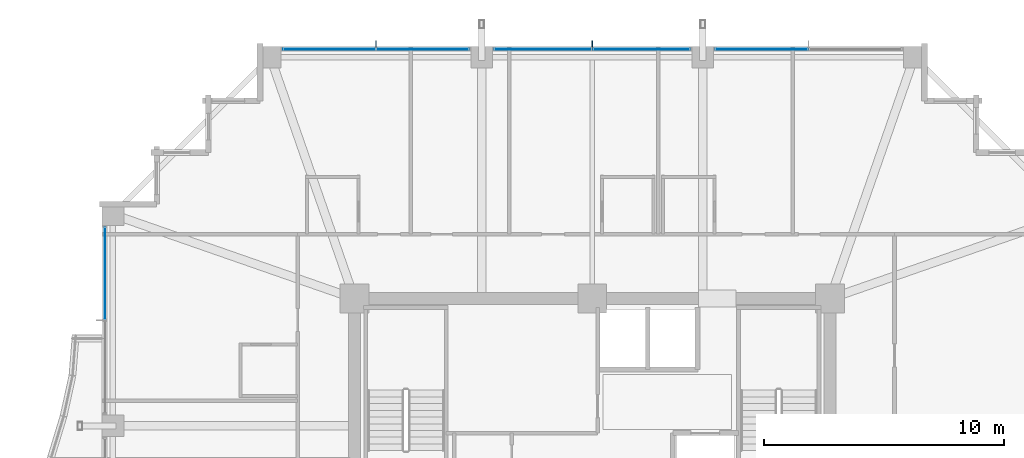
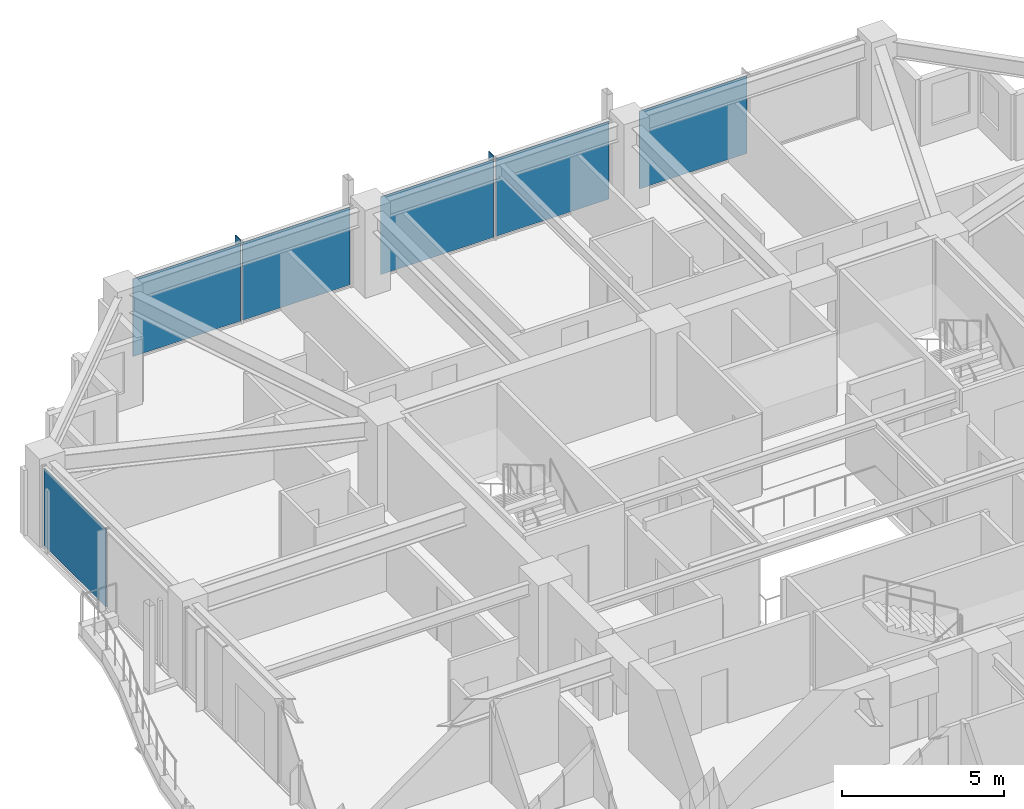
# One storey, part 27 of 35: 8 plates, 4 elements without a shape of their own.
"""IFC4 building model written with IfcOpenShell, lengths in metres."""

import ifcopenshell
import ifcopenshell.guid

model = None  # the IFC model being written
_history = None  # IfcOwnerHistory: only IFC2X3 demands one
_inside = {}  # id of a spatial element -> (the spatial element, [elements in it])
_under = {}  # id of a project, library or spatial element -> (it, [spatial elements below it])
_declared = {}  # id of a project -> (the project, [libraries it declares])
_typed = {}  # id of a type object -> (the type object, [elements of that type])
_made_of = {}  # id of a material, layer set ... -> (it, [elements and type objects made of it])


def new_model(schema):
    """Start an empty IFC model of exactly this schema.

    Asked for "IFC4X3", IfcOpenShell would pick the latest addendum, in which some entities
    have other attributes; the version numbers below select the first issue.
    IFC2X3 requires an IfcOwnerHistory on every rooted entity: one is made here for all.
    """
    global model, _history
    if schema == "IFC4X3":
        model = ifcopenshell.file(schema_version=(4, 3, 0, 0))
    else:
        model = ifcopenshell.file(schema=schema)
    _inside.clear()
    _under.clear()
    _declared.clear()
    _typed.clear()
    _made_of.clear()
    _history = None
    if model.schema == "IFC2X3":
        org = make("IfcOrganization", Name="unknown")
        user = make(
            "IfcPersonAndOrganization",
            ThePerson=make("IfcPerson", FamilyName="unknown"),
            TheOrganization=org,
        )
        app = make(
            "IfcApplication",
            ApplicationDeveloper=org,
            Version="unknown",
            ApplicationFullName="unknown",
            ApplicationIdentifier="unknown",
        )
        _history = make(
            "IfcOwnerHistory",
            OwningUser=user,
            OwningApplication=app,
            ChangeAction="ADDED",
            CreationDate=0,
        )
    return model


def make(cls, **values):
    """One entity of the class cls with the attributes given. An attribute that is None is left unset."""
    return model.create_entity(
        cls, **{name: value for name, value in values.items() if value is not None}
    )


def rooted(cls, **values):
    """An entity with a GlobalId (a new one), such as an element, a storey or a relation."""
    return make(cls, GlobalId=ifcopenshell.guid.new(), OwnerHistory=_history, **values)


def si_unit(unit_type, name, prefix=None):
    """IfcSIUnit, for example si_unit("LENGTHUNIT", "METRE", prefix="MILLI")."""
    return make("IfcSIUnit", UnitType=unit_type, Prefix=prefix, Name=name)


def assignment(units):
    """IfcUnitAssignment: the units of a project."""
    return None if units is None else make("IfcUnitAssignment", Units=units)


def point(xyz):
    """IfcCartesianPoint."""
    return None if xyz is None else make("IfcCartesianPoint", Coordinates=xyz)


def direction(xyz):
    """IfcDirection."""
    return None if xyz is None else make("IfcDirection", DirectionRatios=xyz)


def frame(location, z_axis=None, x_axis=None):
    """IfcAxis2Placement3D, a coordinate frame: its origin and axes. An axis left out is left unset."""
    return make(
        "IfcAxis2Placement3D",
        Location=point(location),
        Axis=direction(z_axis),
        RefDirection=direction(x_axis),
    )


def frame_2d(location, x_axis=None):
    """IfcAxis2Placement2D, a coordinate frame in the plane: its origin and x axis."""
    return make(
        "IfcAxis2Placement2D", Location=point(location), RefDirection=direction(x_axis)
    )


def origin():
    """The frame at (0, 0, 0) with its axes left unset."""
    return frame((0.0, 0.0, 0.0))


def origin_2d():
    """The frame at (0, 0) in the plane with its x axis left unset."""
    return frame_2d((0.0, 0.0))


def place(relative_to, where):
    """IfcLocalPlacement: puts the frame where relative to a parent placement (None: the world)."""
    return make(
        "IfcLocalPlacement", PlacementRelTo=relative_to, RelativePlacement=where
    )


def context(
    kind, dimensions, precision=None, world=None, true_north=None, identifier=None
):
    """IfcGeometricRepresentationContext, for example the 3D "Model" context."""
    return make(
        "IfcGeometricRepresentationContext",
        ContextIdentifier=identifier,
        ContextType=kind,
        CoordinateSpaceDimension=dimensions,
        Precision=precision,
        WorldCoordinateSystem=world,
        TrueNorth=true_north,
    )


def subcontext(parent, identifier, kind, view, scale=None):
    """IfcGeometricRepresentationSubContext, for example "Body" below "Model"."""
    return make(
        "IfcGeometricRepresentationSubContext",
        ContextIdentifier=identifier,
        ContextType=kind,
        ParentContext=parent,
        TargetScale=scale,
        TargetView=view,
    )


def project(units=None, contexts=None):
    """IfcProject with its units and contexts."""
    return rooted(
        "IfcProject",
        Name="project",
        RepresentationContexts=contexts,
        UnitsInContext=assignment(units),
    )


def spatial(cls, under=None, at=None, **own):
    """A site, building, storey or space (cls), placed at a placement, below another one or the project."""
    s = rooted(cls, ObjectPlacement=at, **own)
    if under is not None:
        _under.setdefault(under.id(), (under, []))[1].append(s)
    return s


def profile(cls, at=None, kind="AREA", **sizes):
    """A parametric profile (cls). Its sizes go by their IFC names, for example OverallWidth=200.0."""
    return make(cls, ProfileType=kind, Position=at, **sizes)


def rectangle(**sizes):
    """IfcRectangleProfileDef."""
    return profile("IfcRectangleProfileDef", **sizes)


def extrude(swept, where, along, depth):
    """IfcExtrudedAreaSolid: the profile swept, set in the frame where, extruded along a direction by depth."""
    return make(
        "IfcExtrudedAreaSolid",
        SweptArea=swept,
        Position=where,
        ExtrudedDirection=direction(along),
        Depth=depth,
    )


def shape(context_of_items, identifier, shape_type, items):
    """IfcShapeRepresentation: the items that make up one representation, for example the "Body"."""
    return make(
        "IfcShapeRepresentation",
        ContextOfItems=context_of_items,
        RepresentationIdentifier=identifier,
        RepresentationType=shape_type,
        Items=items,
    )


def material(Name=None, Category=None):
    """IfcMaterial."""
    return make("IfcMaterial", Name=Name, Category=Category)


def layer(
    of_material, thickness, ventilated=None, Name=None, Category=None, Priority=None
):
    """IfcMaterialLayer: one layer of a wall or slab, of a material (None: an air gap)."""
    return make(
        "IfcMaterialLayer",
        Material=of_material,
        LayerThickness=thickness,
        IsVentilated=ventilated,
        Name=Name,
        Category=Category,
        Priority=Priority,
    )


def layer_set(layers, Name=None):
    """IfcMaterialLayerSet."""
    return make("IfcMaterialLayerSet", MaterialLayers=layers, LayerSetName=Name)


def made_of(thing, what):
    """Note that an element or type object is made of a material, layer set ...; save() writes the relation."""
    if what is not None:
        _made_of.setdefault(what.id(), (what, []))[1].append(thing)
    return thing


def type_object(cls, material=None, **own):
    """A type object (cls), such as IfcWallType, which elements share."""
    return made_of(rooted(cls, **own), material)


def element(
    cls,
    number,
    at=None,
    inside=None,
    cuts=None,
    type_object=None,
    material=None,
    context=None,
    identifier="Body",
    shape_type=None,
    held_by="IfcProductDefinitionShape",
    body=None,
    shapes=None,
    **own,
):
    """One element of the class cls, such as IfcWall. Its Tag is "e" and its number.

    at: its placement. inside: the storey or other place that contains it. cuts: it is an
    opening in that element (IfcRelVoidsElement). A single representation is given by context,
    identifier, shape_type and body (its items); several are given by shapes. held_by: the class
    of the entity that holds the representations. save() writes the other relations.
    """
    e = rooted(cls, Tag="e%d" % number, ObjectPlacement=at, **own)
    if body is not None:
        shapes = [shape(context, identifier, shape_type, body)]
    if shapes is not None:
        e.Representation = make(held_by, Representations=shapes)
    if inside is not None:
        _inside.setdefault(inside.id(), (inside, []))[1].append(e)
    if cuts is not None:
        rooted(
            "IfcRelVoidsElement", RelatingBuildingElement=cuts, RelatedOpeningElement=e
        )
    if type_object is not None:
        _typed.setdefault(type_object.id(), (type_object, []))[1].append(e)
    return made_of(e, material)


def aggregate(whole, parts):
    """IfcRelAggregates: a whole, such as a stair, and the parts it consists of."""
    return rooted("IfcRelAggregates", RelatingObject=whole, RelatedObjects=parts)


def save(model, path):
    """Write the relations noted so far, then the file.

    IfcRelAggregates (storeys below a building ...), IfcRelContainedInSpatialStructure (elements
    in a storey), IfcRelDefinesByType, IfcRelAssociatesMaterial and IfcRelDeclares: one each for
    every whole, place, type object, material and project.
    """
    for whole, parts in _under.values():
        aggregate(whole, parts)
    for where, things in _inside.values():
        rooted(
            "IfcRelContainedInSpatialStructure",
            RelatedElements=things,
            RelatingStructure=where,
        )
    for kind, things in _typed.values():
        rooted("IfcRelDefinesByType", RelatedObjects=things, RelatingType=kind)
    for what, things in _made_of.values():
        rooted("IfcRelAssociatesMaterial", RelatedObjects=things, RelatingMaterial=what)
    for by, libraries in _declared.values():
        rooted("IfcRelDeclares", RelatingContext=by, RelatedDefinitions=libraries)
    model.write(path)


model = new_model("IFC4")

# Units and contexts
model_context = context("Model", 3, precision=1e-05, world=origin(), true_north=direction((0.0, 1.0)))
body_context = subcontext(model_context, "Body", "Model", "MODEL_VIEW")
ifc_project = project(units=[si_unit("LENGTHUNIT", "METRE"), si_unit("AREAUNIT", "SQUARE_METRE"), si_unit("VOLUMEUNIT", "CUBIC_METRE"), si_unit("PLANEANGLEUNIT", "RADIAN"), si_unit("MASSUNIT", "GRAM", prefix="KILO")], contexts=[model_context])

# Site, building, storey
site_placement = place(None, origin())
site = spatial("IfcSite", under=ifc_project, at=site_placement, CompositionType="ELEMENT")
building_placement = place(site_placement, origin())
building = spatial("IfcBuilding", under=site, at=building_placement, Name="Kolvaren Belvedere", CompositionType="ELEMENT")
storey_placement = place(building_placement, frame((0.0, 0.0, 176.699951171875)))
storey = spatial("IfcBuildingStorey", under=building, at=storey_placement, Name="L51", CompositionType="ELEMENT", Elevation=176.699951171875)

# Curtain wall, plates
ifc_material_1 = material(Name="Anodised pale-metal aluminium AA 6063-T6", Category="aluminium")
curtain_wall_type = type_object("IfcCurtainWallType", Name="CW-Z5-HIGH", PredefinedType="NOTDEFINED", material=ifc_material_1)
curtain_wall_1_placement = place(storey_placement, origin())
curtain_wall_1 = element("IfcCurtainWall", 1, at=curtain_wall_1_placement, inside=storey, type_object=curtain_wall_type, Name="L51 Unitised Curtain Wall FCW-L51-N-B1", PredefinedType="NOTDEFINED")
ifc_material_2 = material(Name="Low-iron triple insulated glass", Category="glass")
ifc_layer_1 = layer(ifc_material_2, 0.028076171875)
ifc_layer_set_1 = layer_set([ifc_layer_1], Name="Low-iron triple insulated glass")
plate_type_1 = type_object("IfcPlateType", Name="CW-PNL-VIS28", PredefinedType="CURTAIN_PANEL", material=ifc_layer_set_1)
plate_1_placement = place(storey_placement, frame((-10.947509765625, 20.280029296875, 0.080078125), z_axis=(0.0, 0.0, 1.0), x_axis=(1.0, 0.0, 0.0)))
plate_1 = element("IfcPlate", 2, at=plate_1_placement, type_object=plate_type_1, Name="FCW-L51-N-B1 Vision Glazing Panel 1", PredefinedType="CURTAIN_PANEL", context=body_context, shape_type="SweptSolid", body=[
    extrude(rectangle(XDim=3.81494140625, YDim=0.028076171875, at=origin_2d()), origin(), (0.0, 0.0, 1.0), 2.919921875),
])
plate_2_placement = place(storey_placement, frame((-7.052490234375, 20.280029296875, 0.080078125), z_axis=(0.0, 0.0, 1.0), x_axis=(1.0, 0.0, 0.0)))
plate_2 = element("IfcPlate", 3, at=plate_2_placement, type_object=plate_type_1, Name="FCW-L51-N-B1 Vision Glazing Panel 2", PredefinedType="CURTAIN_PANEL", context=body_context, shape_type="SweptSolid", body=[
    extrude(rectangle(XDim=3.81494140625, YDim=0.028076171875, at=origin_2d()), origin(), (0.0, 0.0, 1.0), 2.919921875),
])
aggregate(curtain_wall_1, [plate_1, plate_2])

curtain_wall_2_placement = place(storey_placement, origin())
curtain_wall_2 = element("IfcCurtainWall", 4, at=curtain_wall_2_placement, inside=storey, type_object=curtain_wall_type, Name="L51 Unitised Curtain Wall FCW-L51-N-B2", PredefinedType="NOTDEFINED")
plate_3_placement = place(storey_placement, frame((-2.047607421875, 20.280029296875, 0.080078125), z_axis=(0.0, 0.0, 1.0), x_axis=(1.0, 0.0, 0.0)))
plate_3 = element("IfcPlate", 5, at=plate_3_placement, type_object=plate_type_1, Name="FCW-L51-N-B2 Vision Glazing Panel 1", PredefinedType="CURTAIN_PANEL", context=body_context, shape_type="SweptSolid", body=[
    extrude(rectangle(XDim=4.014892578125, YDim=0.028076171875, at=origin_2d()), origin(), (0.0, 0.0, 1.0), 2.919921875),
])
plate_4_placement = place(storey_placement, frame((2.047607421875, 20.280029296875, 0.080078125), z_axis=(0.0, 0.0, 1.0), x_axis=(1.0, 0.0, 0.0)))
plate_4 = element("IfcPlate", 6, at=plate_4_placement, type_object=plate_type_1, Name="FCW-L51-N-B2 Vision Glazing Panel 2", PredefinedType="CURTAIN_PANEL", context=body_context, shape_type="SweptSolid", body=[
    extrude(rectangle(XDim=4.014892578125, YDim=0.028076171875, at=origin_2d()), origin(), (0.0, 0.0, 1.0), 2.919921875),
])
aggregate(curtain_wall_2, [plate_3, plate_4])

# Curtain wall, plate
curtain_wall_3_placement = place(storey_placement, origin())
curtain_wall_3 = element("IfcCurtainWall", 7, at=curtain_wall_3_placement, inside=storey, type_object=curtain_wall_type, Name="L51 Unitised Curtain Wall FCW-L51-N-B3", PredefinedType="NOTDEFINED")
plate_5_placement = place(storey_placement, frame((7.052490234375, 20.280029296875, 0.080078125), z_axis=(0.0, 0.0, 1.0), x_axis=(1.0, 0.0, 0.0)))
plate_5 = element("IfcPlate", 8, at=plate_5_placement, type_object=plate_type_1, Name="FCW-L51-N-B3 Vision Glazing Panel 1", PredefinedType="CURTAIN_PANEL", context=body_context, shape_type="SweptSolid", body=[
    extrude(rectangle(XDim=3.81494140625, YDim=0.028076171875, at=origin_2d()), origin(), (0.0, 0.0, 1.0), 2.919921875),
])
aggregate(curtain_wall_3, [plate_5])

curtain_wall_4_placement = place(storey_placement, origin())
curtain_wall_4 = element("IfcCurtainWall", 9, at=curtain_wall_4_placement, inside=storey, type_object=curtain_wall_type, Name="L51 Unitised Curtain Wall FCW-L51-W2-B2", PredefinedType="NOTDEFINED")
plate_6_placement = place(storey_placement, frame((-20.280029296875, 10.947509765625, 0.080078125), z_axis=(0.0, 0.0, 1.0), x_axis=(0.0, 1.0, 0.0)))
plate_6 = element("IfcPlate", 10, at=plate_6_placement, type_object=plate_type_1, Name="FCW-L51-W2-B2 Vision Glazing Panel 2", PredefinedType="CURTAIN_PANEL", context=body_context, shape_type="SweptSolid", body=[
    extrude(rectangle(XDim=3.81494140625, YDim=0.028076171875, at=origin_2d()), origin(), (0.0, 0.0, 1.0), 2.919921875),
])
aggregate(curtain_wall_4, [plate_6])

# Plates
ifc_material_3 = material(Name="Anodised pale-metal aluminium AA 6063-T6", Category="aluminium")
ifc_layer_2 = layer(ifc_material_3, 0.030029296875)
ifc_layer_set_2 = layer_set([ifc_layer_2], Name="Anodised pale-metal aluminium AA 6063-T6")
plate_type_2 = type_object("IfcPlateType", Name="FIN-VERT-300", PredefinedType="USERDEFINED", material=ifc_layer_set_2)
for number, where, z_axis, x_axis, name in (
    (11, (-9.0, 20.489990234375, 0.0), (0.0, 0.0, 1.0), (0.0, 1.0, 0.0), "L51 Pale-Metal Vertical Shading Fin FCW-L51-N-B1-1"),
    (12, (0.0, 20.489990234375, 0.0), (0.0, 0.0, 1.0), (0.0, 1.0, 0.0), "L51 Pale-Metal Vertical Shading Fin FCW-L51-N-B2-1"),
):
    element("IfcPlate", number, at=place(storey_placement, frame(where, z_axis=z_axis, x_axis=x_axis)), inside=storey, type_object=plate_type_2, Name=name, ObjectType="VERTICAL FIN", PredefinedType="USERDEFINED", context=body_context, shape_type="SweptSolid", body=[
        extrude(rectangle(XDim=0.300048828125, YDim=0.030029296875, at=origin_2d()), origin(), (0.0, 0.0, 1.0), 3.080078125),
    ])

save(model, "model.ifc")
